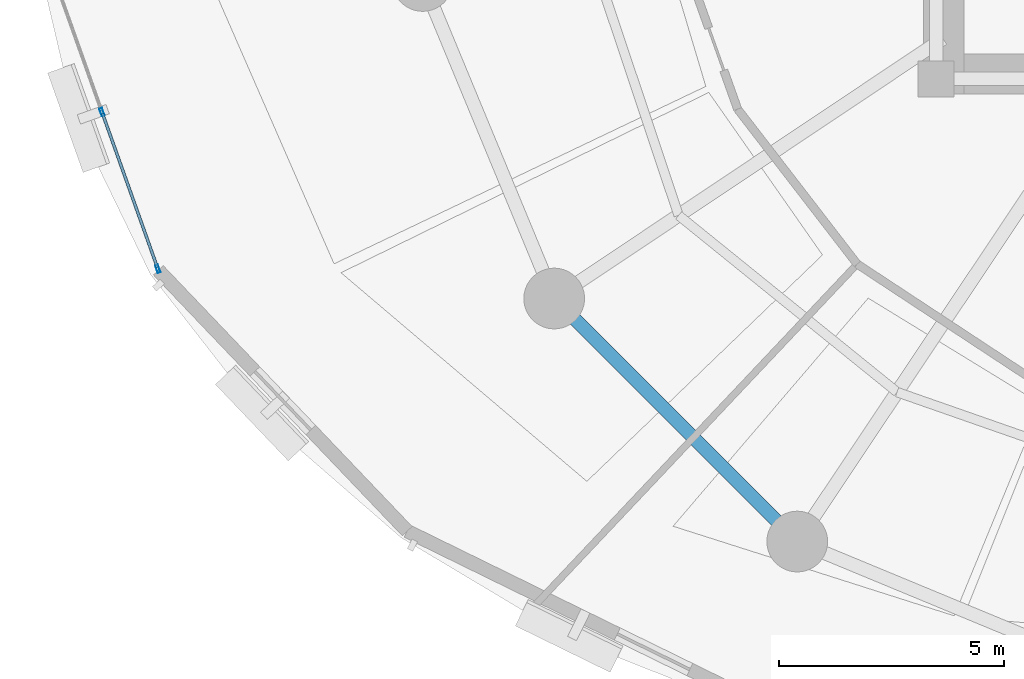
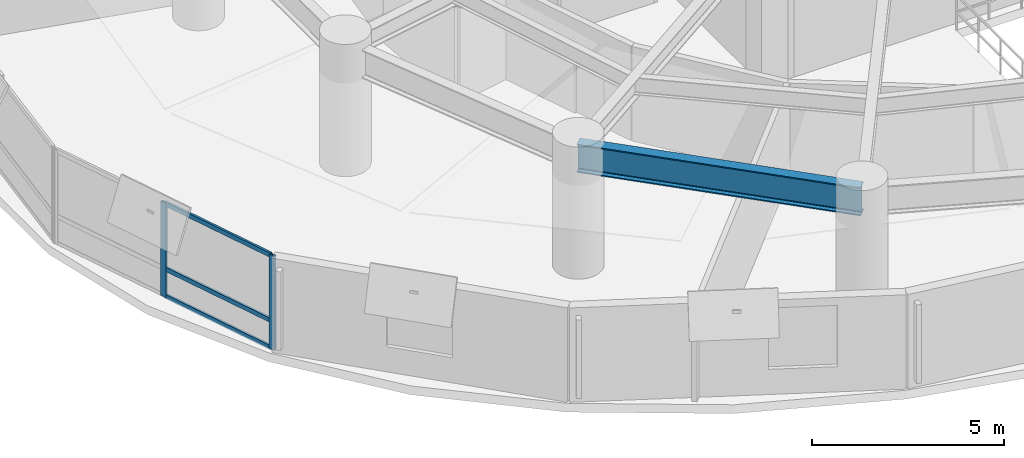
# One storey, part 2 of 17: 5 members, 1 beam, 1 element without a shape of its own.
"""IFC4 building model written with IfcOpenShell, lengths in metres."""

import ifcopenshell
import ifcopenshell.guid

model = None  # the IFC model being written
_history = None  # IfcOwnerHistory: only IFC2X3 demands one
_inside = {}  # id of a spatial element -> (the spatial element, [elements in it])
_under = {}  # id of a project, library or spatial element -> (it, [spatial elements below it])
_declared = {}  # id of a project -> (the project, [libraries it declares])
_typed = {}  # id of a type object -> (the type object, [elements of that type])
_made_of = {}  # id of a material, layer set ... -> (it, [elements and type objects made of it])


def new_model(schema):
    """Start an empty IFC model of exactly this schema.

    Asked for "IFC4X3", IfcOpenShell would pick the latest addendum, in which some entities
    have other attributes; the version numbers below select the first issue.
    IFC2X3 requires an IfcOwnerHistory on every rooted entity: one is made here for all.
    """
    global model, _history
    if schema == "IFC4X3":
        model = ifcopenshell.file(schema_version=(4, 3, 0, 0))
    else:
        model = ifcopenshell.file(schema=schema)
    _inside.clear()
    _under.clear()
    _declared.clear()
    _typed.clear()
    _made_of.clear()
    _history = None
    if model.schema == "IFC2X3":
        org = make("IfcOrganization", Name="unknown")
        user = make(
            "IfcPersonAndOrganization",
            ThePerson=make("IfcPerson", FamilyName="unknown"),
            TheOrganization=org,
        )
        app = make(
            "IfcApplication",
            ApplicationDeveloper=org,
            Version="unknown",
            ApplicationFullName="unknown",
            ApplicationIdentifier="unknown",
        )
        _history = make(
            "IfcOwnerHistory",
            OwningUser=user,
            OwningApplication=app,
            ChangeAction="ADDED",
            CreationDate=0,
        )
    return model


def make(cls, **values):
    """One entity of the class cls with the attributes given. An attribute that is None is left unset."""
    return model.create_entity(
        cls, **{name: value for name, value in values.items() if value is not None}
    )


def rooted(cls, **values):
    """An entity with a GlobalId (a new one), such as an element, a storey or a relation."""
    return make(cls, GlobalId=ifcopenshell.guid.new(), OwnerHistory=_history, **values)


def si_unit(unit_type, name, prefix=None):
    """IfcSIUnit, for example si_unit("LENGTHUNIT", "METRE", prefix="MILLI")."""
    return make("IfcSIUnit", UnitType=unit_type, Prefix=prefix, Name=name)


def assignment(units):
    """IfcUnitAssignment: the units of a project."""
    return None if units is None else make("IfcUnitAssignment", Units=units)


def point(xyz):
    """IfcCartesianPoint."""
    return None if xyz is None else make("IfcCartesianPoint", Coordinates=xyz)


def direction(xyz):
    """IfcDirection."""
    return None if xyz is None else make("IfcDirection", DirectionRatios=xyz)


def frame(location, z_axis=None, x_axis=None):
    """IfcAxis2Placement3D, a coordinate frame: its origin and axes. An axis left out is left unset."""
    return make(
        "IfcAxis2Placement3D",
        Location=point(location),
        Axis=direction(z_axis),
        RefDirection=direction(x_axis),
    )


def frame_2d(location, x_axis=None):
    """IfcAxis2Placement2D, a coordinate frame in the plane: its origin and x axis."""
    return make(
        "IfcAxis2Placement2D", Location=point(location), RefDirection=direction(x_axis)
    )


def origin():
    """The frame at (0, 0, 0) with its axes left unset."""
    return frame((0.0, 0.0, 0.0))


def origin_2d():
    """The frame at (0, 0) in the plane with its x axis left unset."""
    return frame_2d((0.0, 0.0))


def place(relative_to, where):
    """IfcLocalPlacement: puts the frame where relative to a parent placement (None: the world)."""
    return make(
        "IfcLocalPlacement", PlacementRelTo=relative_to, RelativePlacement=where
    )


def context(
    kind, dimensions, precision=None, world=None, true_north=None, identifier=None
):
    """IfcGeometricRepresentationContext, for example the 3D "Model" context."""
    return make(
        "IfcGeometricRepresentationContext",
        ContextIdentifier=identifier,
        ContextType=kind,
        CoordinateSpaceDimension=dimensions,
        Precision=precision,
        WorldCoordinateSystem=world,
        TrueNorth=true_north,
    )


def subcontext(parent, identifier, kind, view, scale=None):
    """IfcGeometricRepresentationSubContext, for example "Body" below "Model"."""
    return make(
        "IfcGeometricRepresentationSubContext",
        ContextIdentifier=identifier,
        ContextType=kind,
        ParentContext=parent,
        TargetScale=scale,
        TargetView=view,
    )


def project(units=None, contexts=None):
    """IfcProject with its units and contexts."""
    return rooted(
        "IfcProject",
        Name="project",
        RepresentationContexts=contexts,
        UnitsInContext=assignment(units),
    )


def spatial(cls, under=None, at=None, **own):
    """A site, building, storey or space (cls), placed at a placement, below another one or the project."""
    s = rooted(cls, ObjectPlacement=at, **own)
    if under is not None:
        _under.setdefault(under.id(), (under, []))[1].append(s)
    return s


def profile(cls, at=None, kind="AREA", **sizes):
    """A parametric profile (cls). Its sizes go by their IFC names, for example OverallWidth=200.0."""
    return make(cls, ProfileType=kind, Position=at, **sizes)


def hollow_rectangle(**sizes):
    """IfcRectangleHollowProfileDef."""
    return profile("IfcRectangleHollowProfileDef", **sizes)


def i_section(**sizes):
    """IfcIShapeProfileDef."""
    return profile("IfcIShapeProfileDef", **sizes)


def extrude(swept, where, along, depth):
    """IfcExtrudedAreaSolid: the profile swept, set in the frame where, extruded along a direction by depth."""
    return make(
        "IfcExtrudedAreaSolid",
        SweptArea=swept,
        Position=where,
        ExtrudedDirection=direction(along),
        Depth=depth,
    )


def shape(context_of_items, identifier, shape_type, items):
    """IfcShapeRepresentation: the items that make up one representation, for example the "Body"."""
    return make(
        "IfcShapeRepresentation",
        ContextOfItems=context_of_items,
        RepresentationIdentifier=identifier,
        RepresentationType=shape_type,
        Items=items,
    )


def material(Name=None, Category=None):
    """IfcMaterial."""
    return make("IfcMaterial", Name=Name, Category=Category)


def layer(
    of_material, thickness, ventilated=None, Name=None, Category=None, Priority=None
):
    """IfcMaterialLayer: one layer of a wall or slab, of a material (None: an air gap)."""
    return make(
        "IfcMaterialLayer",
        Material=of_material,
        LayerThickness=thickness,
        IsVentilated=ventilated,
        Name=Name,
        Category=Category,
        Priority=Priority,
    )


def layer_set(layers, Name=None):
    """IfcMaterialLayerSet."""
    return make("IfcMaterialLayerSet", MaterialLayers=layers, LayerSetName=Name)


def material_profile(
    of_material, cross_section, Name=None, Category=None, Priority=None
):
    """IfcMaterialProfile: a cross section and its material."""
    return make(
        "IfcMaterialProfile",
        Name=Name,
        Material=of_material,
        Profile=cross_section,
        Priority=Priority,
        Category=Category,
    )


def profile_set(profiles, Name=None, composite=None):
    """IfcMaterialProfileSet."""
    return make(
        "IfcMaterialProfileSet",
        Name=Name,
        MaterialProfiles=profiles,
        CompositeProfile=composite,
    )


def made_of(thing, what):
    """Note that an element or type object is made of a material, layer set ...; save() writes the relation."""
    if what is not None:
        _made_of.setdefault(what.id(), (what, []))[1].append(thing)
    return thing


def type_object(cls, material=None, **own):
    """A type object (cls), such as IfcWallType, which elements share."""
    return made_of(rooted(cls, **own), material)


def element(
    cls,
    number,
    at=None,
    inside=None,
    cuts=None,
    type_object=None,
    material=None,
    context=None,
    identifier="Body",
    shape_type=None,
    held_by="IfcProductDefinitionShape",
    body=None,
    shapes=None,
    **own,
):
    """One element of the class cls, such as IfcWall. Its Tag is "e" and its number.

    at: its placement. inside: the storey or other place that contains it. cuts: it is an
    opening in that element (IfcRelVoidsElement). A single representation is given by context,
    identifier, shape_type and body (its items); several are given by shapes. held_by: the class
    of the entity that holds the representations. save() writes the other relations.
    """
    e = rooted(cls, Tag="e%d" % number, ObjectPlacement=at, **own)
    if body is not None:
        shapes = [shape(context, identifier, shape_type, body)]
    if shapes is not None:
        e.Representation = make(held_by, Representations=shapes)
    if inside is not None:
        _inside.setdefault(inside.id(), (inside, []))[1].append(e)
    if cuts is not None:
        rooted(
            "IfcRelVoidsElement", RelatingBuildingElement=cuts, RelatedOpeningElement=e
        )
    if type_object is not None:
        _typed.setdefault(type_object.id(), (type_object, []))[1].append(e)
    return made_of(e, material)


def aggregate(whole, parts):
    """IfcRelAggregates: a whole, such as a stair, and the parts it consists of."""
    return rooted("IfcRelAggregates", RelatingObject=whole, RelatedObjects=parts)


def save(model, path):
    """Write the relations noted so far, then the file.

    IfcRelAggregates (storeys below a building ...), IfcRelContainedInSpatialStructure (elements
    in a storey), IfcRelDefinesByType, IfcRelAssociatesMaterial and IfcRelDeclares: one each for
    every whole, place, type object, material and project.
    """
    for whole, parts in _under.values():
        aggregate(whole, parts)
    for where, things in _inside.values():
        rooted(
            "IfcRelContainedInSpatialStructure",
            RelatedElements=things,
            RelatingStructure=where,
        )
    for kind, things in _typed.values():
        rooted("IfcRelDefinesByType", RelatedObjects=things, RelatingType=kind)
    for what, things in _made_of.values():
        rooted("IfcRelAssociatesMaterial", RelatedObjects=things, RelatingMaterial=what)
    for by, libraries in _declared.values():
        rooted("IfcRelDeclares", RelatingContext=by, RelatedDefinitions=libraries)
    model.write(path)


model = new_model("IFC4")

# Units and contexts
model_context = context("Model", 3, precision=1e-05, world=origin(), true_north=direction((0.0, 1.0)))
body_context = subcontext(model_context, "Body", "Model", "MODEL_VIEW")
ifc_project = project(units=[si_unit("LENGTHUNIT", "METRE"), si_unit("AREAUNIT", "SQUARE_METRE"), si_unit("VOLUMEUNIT", "CUBIC_METRE"), si_unit("PLANEANGLEUNIT", "RADIAN"), si_unit("MASSUNIT", "GRAM", prefix="KILO"), si_unit("THERMODYNAMICTEMPERATUREUNIT", "KELVIN"), si_unit("POWERUNIT", "WATT")], contexts=[model_context])

# Site, building, storey
site_placement = place(None, origin())
site = spatial("IfcSite", under=ifc_project, at=site_placement, CompositionType="ELEMENT")
building_placement = place(site_placement, origin())
building = spatial("IfcBuilding", under=site, at=building_placement, Name="Ocrelia Relay Tower", CompositionType="ELEMENT")
storey_placement = place(building_placement, frame((0.0, 0.0, 59.39990234375)))
storey = spatial("IfcBuildingStorey", under=building, at=storey_placement, Name="L13", CompositionType="ELEMENT", Elevation=59.39990234375)

# Beam
ifc_material_1 = material(Name="Steel S355", Category="steel")
ifc_material_profile_1 = material_profile(ifc_material_1, i_section(OverallWidth=0.300048828125, OverallDepth=0.89990234375, WebThickness=0.0185546875, FlangeThickness=0.034912109375, FilletRadius=0.030029296875, at=origin_2d()), Name="HEB 900")
ifc_profile_set_1 = profile_set([ifc_material_profile_1], Name="Steel S355")
beam_type = type_object("IfcBeamType", Name="BM-HEB900", PredefinedType="BEAM", material=ifc_profile_set_1)
beam_placement = place(storey_placement, frame((17.703125, 15.11083984375, 3.47021484375), z_axis=(0.707106781187, -0.707106781187, 0.0), x_axis=(0.707106781187, 0.707106781187, 0.0)))
element("IfcBeam", 1, at=beam_placement, inside=storey, type_object=beam_type, Name="L13 Perimeter Spandrel Beam S10", PredefinedType="BEAM", context=body_context, shape_type="SweptSolid", body=[
    extrude(i_section(OverallWidth=0.300048828125, OverallDepth=0.89990234375, WebThickness=0.0185546875, FlangeThickness=0.034912109375, FilletRadius=0.030029296875, at=origin_2d()), origin(), (0.0, 0.0, 1.0), 7.647705078125),
])

# Curtain wall, members
ifc_material_2 = material(Name="Aluminium and solar-control low-E glass", Category="aluminium")
ifc_layer = layer(ifc_material_2, 0.179931640625, Name="Aluminium and solar-control low-E glass")
ifc_layer_set = layer_set([ifc_layer], Name="Aluminium and solar-control low-E glass")
curtain_wall_type = type_object("IfcCurtainWallType", Name="CW-SYS-Z1-DATA", PredefinedType="NOTDEFINED", material=ifc_layer_set)
curtain_wall_placement = place(storey_placement, origin())
curtain_wall = element("IfcCurtainWall", 2, at=curtain_wall_placement, inside=storey, type_object=curtain_wall_type, Name="L13 Elliptical Tower Curtain Wall Bay 10", PredefinedType="NOTDEFINED")
ifc_material_3 = material(Name="Anodised bronze aluminium", Category="aluminium")
ifc_material_profile_2 = material_profile(ifc_material_3, hollow_rectangle(XDim=0.070068359375, YDim=0.179931640625, WallThickness=0.006103515625, at=origin_2d()), Name="CW-MUL-180x70")
ifc_profile_set_2 = profile_set([ifc_material_profile_2], Name="Anodised bronze aluminium")
member_type_1 = type_object("IfcMemberType", Name="CW-SYS-Z1-DATA-MUL", PredefinedType="MULLION", material=ifc_profile_set_2)
member_1_placement = place(storey_placement, frame((7.641357421875, 19.259765625, 0.0), z_axis=(0.0, 0.0, 1.0), x_axis=(0.941997078317, 0.335621072702, 0.0)))
member_1 = element("IfcMember", 3, at=member_1_placement, type_object=member_type_1, Name="CW-Z1 mullion 2", PredefinedType="MULLION", context=body_context, shape_type="SweptSolid", body=[
    extrude(hollow_rectangle(XDim=0.070068359375, YDim=0.179931640625, WallThickness=0.006103515625, at=origin_2d()), origin(), (0.0, 0.0, 1.0), 3.0),
])
member_2_placement = place(storey_placement, frame((8.884033203125, 15.771728515625, 0.0), z_axis=(0.0, 0.0, 1.0), x_axis=(0.941997078317, 0.335621072702, 0.0)))
member_2 = element("IfcMember", 4, at=member_2_placement, type_object=member_type_1, Name="CW-Z1 mullion 3", PredefinedType="MULLION", context=body_context, shape_type="SweptSolid", body=[
    extrude(hollow_rectangle(XDim=0.070068359375, YDim=0.179931640625, WallThickness=0.006103515625, at=origin_2d()), origin(), (0.0, 0.0, 1.0), 3.0),
])
ifc_material_profile_3 = material_profile(ifc_material_3, hollow_rectangle(XDim=0.06494140625, YDim=0.139892578125, WallThickness=0.0048828125, at=origin_2d()), Name="CW-TRN-140x65")
ifc_profile_set_3 = profile_set([ifc_material_profile_3], Name="Anodised bronze aluminium")
member_type_2 = type_object("IfcMemberType", Name="CW-SYS-Z1-DATA-TRN", PredefinedType="USERDEFINED", material=ifc_profile_set_3)
member_3_placement = place(storey_placement, frame((7.653076171875, 19.226806640625, 0.03271484375), z_axis=(0.335616820629, -0.941998593264, 0.0), x_axis=(0.941998593264, 0.335616820629, 0.0)))
member_3 = element("IfcMember", 5, at=member_3_placement, type_object=member_type_2, Name="CW-Z1 transom 2.1", ObjectType="TRANSOM", PredefinedType="USERDEFINED", context=body_context, shape_type="SweptSolid", body=[
    extrude(hollow_rectangle(XDim=0.06494140625, YDim=0.139892578125, WallThickness=0.0048828125, at=origin_2d()), origin(), (0.0, 0.0, 1.0), 3.6328125),
])
member_4_placement = place(storey_placement, frame((7.653076171875, 19.226806640625, 0.900146484375), z_axis=(0.335616820629, -0.941998593264, 0.0), x_axis=(0.941998593264, 0.335616820629, 0.0)))
member_4 = element("IfcMember", 6, at=member_4_placement, type_object=member_type_2, Name="CW-Z1 transom 2.2", ObjectType="TRANSOM", PredefinedType="USERDEFINED", context=body_context, shape_type="SweptSolid", body=[
    extrude(hollow_rectangle(XDim=0.06494140625, YDim=0.139892578125, WallThickness=0.0048828125, at=origin_2d()), origin(), (0.0, 0.0, 1.0), 3.6328125),
])
member_5_placement = place(storey_placement, frame((7.653076171875, 19.226806640625, 2.967529296875), z_axis=(0.335616820629, -0.941998593264, 0.0), x_axis=(0.941998593264, 0.335616820629, 0.0)))
member_5 = element("IfcMember", 7, at=member_5_placement, type_object=member_type_2, Name="CW-Z1 transom 2.3", ObjectType="TRANSOM", PredefinedType="USERDEFINED", context=body_context, shape_type="SweptSolid", body=[
    extrude(hollow_rectangle(XDim=0.06494140625, YDim=0.139892578125, WallThickness=0.0048828125, at=origin_2d()), origin(), (0.0, 0.0, 1.0), 3.6328125),
])
aggregate(curtain_wall, [member_1, member_2, member_3, member_4, member_5])

save(model, "model.ifc")
